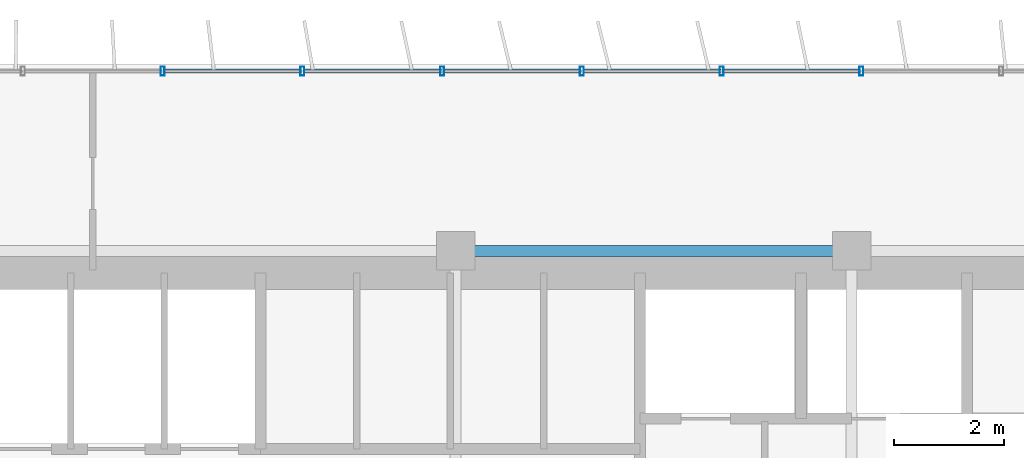
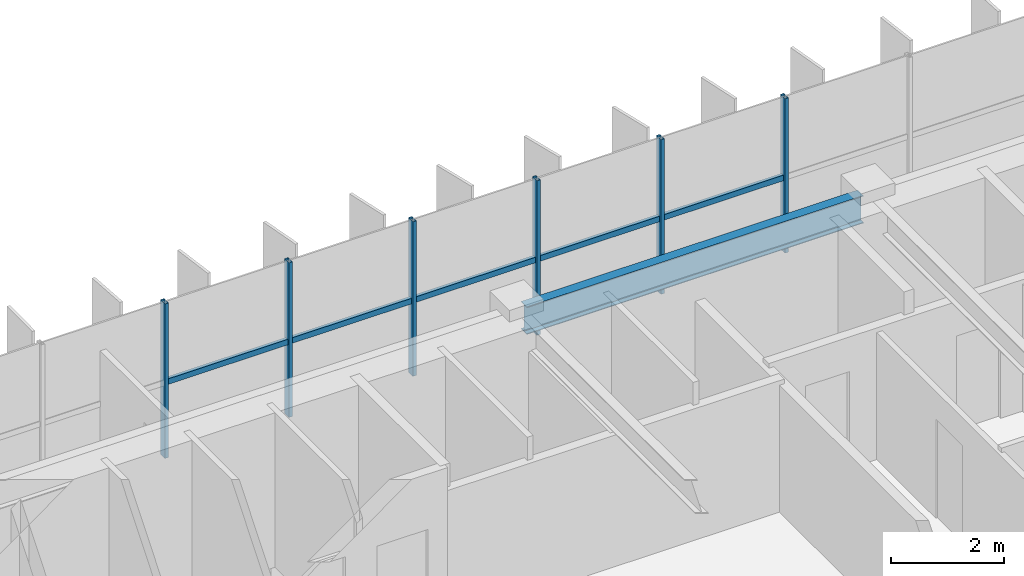
# One storey, part 9 of 22: 11 members, 1 beam, 1 element without a shape of its own.
"""IFC4 building model written with IfcOpenShell, lengths in metres."""

from ifc_helpers import new_model, si_unit, direction, frame, origin, origin_2d, place, context, subcontext, project, spatial, hollow_rectangle, i_section, extrude, source, transform, mapped, material, material_profile, profile_set, type_object, element, aggregate, save


model = new_model("IFC4")

# Units and contexts
model_context = context("Model", 3, precision=1e-05, world=origin(), true_north=direction((0.0, 1.0)))
body_context = subcontext(model_context, "Body", "Model", "MODEL_VIEW")
ifc_project = project(units=[si_unit("LENGTHUNIT", "METRE"), si_unit("AREAUNIT", "SQUARE_METRE"), si_unit("VOLUMEUNIT", "CUBIC_METRE"), si_unit("PLANEANGLEUNIT", "RADIAN"), si_unit("MASSUNIT", "GRAM", prefix="KILO")], contexts=[model_context])

# Site, building, storey
site_placement = place(None, origin())
site = spatial("IfcSite", under=ifc_project, at=site_placement, CompositionType="ELEMENT")
building_placement = place(site_placement, origin())
building = spatial("IfcBuilding", under=site, at=building_placement, Name="Trelvane Seafront Commons", CompositionType="ELEMENT")
storey_placement = place(building_placement, frame((0.0, 0.0, 132.10009765625)))
storey = spatial("IfcBuildingStorey", under=building, at=storey_placement, Name="L34", CompositionType="ELEMENT", Elevation=132.10009765625)

# Beam
ifc_material_1 = material(Name="Steel SM355 (S355)", Category="steel")
ifc_material_profile_1 = material_profile(ifc_material_1, i_section(OverallWidth=0.199951171875, OverallDepth=0.60009765625, WebThickness=0.010986328125, FlangeThickness=0.01708984375, at=origin_2d()), Name="H-600x200x11x17")
ifc_profile_set_1 = profile_set([ifc_material_profile_1], Name="Steel SM355 (S355)")
beam_type = type_object("IfcBeamType", Name="STR-SPD-H600", PredefinedType="SPANDREL", material=ifc_profile_set_1)
shared_shape_1 = source(origin(), body_context, "Body", "SweptSolid", [
    extrude(i_section(OverallWidth=0.199951171875, OverallDepth=0.60009765625, WebThickness=0.010986328125, FlangeThickness=0.01708984375, at=origin_2d()), origin(), (0.0, 0.0, 1.0), 6.900146484375),
])
beam_placement = place(storey_placement, frame((43.949951171875, 45.10009765625, 3.0498046875), z_axis=(1.0, 0.0, 0.0), x_axis=(0.0, 1.0, 0.0)))
element("IfcBeam", 1, at=beam_placement, inside=storey, type_object=beam_type, Name="L34 Primary Girder G-26", PredefinedType="SPANDREL", context=body_context, shape_type="MappedRepresentation", body=[
    mapped(shared_shape_1, transform((0.0, 0.0, 0.0), x_axis=(1.0, 0.0, 0.0), y_axis=(0.0, 1.0, 0.0), z_axis=(0.0, 0.0, 1.0), scale=1.0)),
])

# Curtain wall, members
ifc_material_2 = material(Name="Anodised pale-silver aluminium", Category="aluminium")
curtain_wall_type = type_object("IfcCurtainWallType", Name="ARCH-CW5-UPTOWER", PredefinedType="NOTDEFINED", material=ifc_material_2)
curtain_wall_placement = place(storey_placement, origin())
curtain_wall = element("IfcCurtainWall", 2, at=curtain_wall_placement, inside=storey, type_object=curtain_wall_type, Name="CW-L34-0061", PredefinedType="NOTDEFINED")
ifc_material_profile_2 = material_profile(ifc_material_2, hollow_rectangle(XDim=0.070068359375, YDim=0.1201171875, WallThickness=0.00390625, at=origin_2d()), Name="TRAN-70x120x4")
ifc_profile_set_2 = profile_set([ifc_material_profile_2], Name="Anodised pale-silver aluminium")
member_type_1 = type_object("IfcMemberType", Name="ARCH-CW-TRAN-120", PredefinedType="USERDEFINED", material=ifc_profile_set_2)
shared_shape_2 = source(origin(), body_context, "Body", "SweptSolid", [
    extrude(hollow_rectangle(XDim=0.070068359375, YDim=0.1201171875, WallThickness=0.00390625, at=origin_2d()), origin(), (0.0, 0.0, 1.0), 2.51708984375),
])
member_1_placement = place(storey_placement, frame((38.482666015625, 48.3701171875, 1.60791015625), z_axis=(1.0, 0.0, 0.0), x_axis=(0.0, 1.0, 0.0)))
member_1 = element("IfcMember", 3, at=member_1_placement, type_object=member_type_1, Name="CW-L34-0061-T09", ObjectType="TRANSOM", PredefinedType="USERDEFINED", context=body_context, shape_type="MappedRepresentation", body=[
    mapped(shared_shape_2, transform((0.0, 0.0, 0.0), x_axis=(1.0, 0.0, 0.0), y_axis=(0.0, 1.0, 0.0), z_axis=(0.0, 0.0, 1.0), scale=1.0)),
])
member_2_placement = place(storey_placement, frame((43.56494140625, 48.3701171875, 1.60791015625), z_axis=(1.0, 0.0, 0.0), x_axis=(0.0, 1.0, 0.0)))
member_2 = element("IfcMember", 4, at=member_2_placement, type_object=member_type_1, Name="CW-L34-0061-T11", ObjectType="TRANSOM", PredefinedType="USERDEFINED", context=body_context, shape_type="MappedRepresentation", body=[
    mapped(shared_shape_2, transform((0.0, 0.0, 0.0), x_axis=(1.0, 0.0, 0.0), y_axis=(0.0, 1.0, 0.0), z_axis=(0.0, 0.0, 1.0), scale=1.0)),
])
member_3_placement = place(storey_placement, frame((46.106201171875, 48.3701171875, 1.60791015625), z_axis=(1.0, 0.0, 0.0), x_axis=(0.0, 1.0, 0.0)))
member_3 = element("IfcMember", 5, at=member_3_placement, type_object=member_type_1, Name="CW-L34-0061-T12", ObjectType="TRANSOM", PredefinedType="USERDEFINED", context=body_context, shape_type="MappedRepresentation", body=[
    mapped(shared_shape_2, transform((0.0, 0.0, 0.0), x_axis=(1.0, 0.0, 0.0), y_axis=(0.0, 1.0, 0.0), z_axis=(0.0, 0.0, 1.0), scale=1.0)),
])
shared_shape_3 = source(origin(), body_context, "Body", "SweptSolid", [
    extrude(hollow_rectangle(XDim=0.070068359375, YDim=0.1201171875, WallThickness=0.00390625, at=origin_2d()), origin(), (0.0, 0.0, 1.0), 2.517333984375),
])
member_4_placement = place(storey_placement, frame((41.023681640625, 48.3701171875, 1.60791015625), z_axis=(1.0, 0.0, 0.0), x_axis=(0.0, 1.0, 0.0)))
member_4 = element("IfcMember", 6, at=member_4_placement, type_object=member_type_1, Name="CW-L34-0061-T10", ObjectType="TRANSOM", PredefinedType="USERDEFINED", context=body_context, shape_type="MappedRepresentation", body=[
    mapped(shared_shape_3, transform((0.0, 0.0, 0.0), x_axis=(1.0, 0.0, 0.0), y_axis=(0.0, 1.0, 0.0), z_axis=(0.0, 0.0, 1.0), scale=1.0)),
])
member_5_placement = place(storey_placement, frame((48.647216796875, 48.3701171875, 1.60791015625), z_axis=(1.0, 0.0, 0.0), x_axis=(0.0, 1.0, 0.0)))
member_5 = element("IfcMember", 7, at=member_5_placement, type_object=member_type_1, Name="CW-L34-0061-T13", ObjectType="TRANSOM", PredefinedType="USERDEFINED", context=body_context, shape_type="MappedRepresentation", body=[
    mapped(shared_shape_3, transform((0.0, 0.0, 0.0), x_axis=(1.0, 0.0, 0.0), y_axis=(0.0, 1.0, 0.0), z_axis=(0.0, 0.0, 1.0), scale=1.0)),
])
ifc_material_profile_3 = material_profile(ifc_material_2, hollow_rectangle(XDim=0.074951171875, YDim=0.159912109375, WallThickness=0.00390625, at=origin_2d()), Name="MULL-75x160x4")
ifc_profile_set_3 = profile_set([ifc_material_profile_3], Name="Anodised pale-silver aluminium")
member_type_2 = type_object("IfcMemberType", Name="ARCH-CW-MULL-160", PredefinedType="MULLION", material=ifc_profile_set_3)
shared_shape_4 = source(origin(), body_context, "Body", "SweptSolid", [
    extrude(hollow_rectangle(XDim=0.074951171875, YDim=0.159912109375, WallThickness=0.00390625, at=origin_2d()), origin(), (0.0, 0.0, 1.0), 3.349853515625),
])
member_6_placement = place(storey_placement, frame((38.470703125, 48.3701171875, 0.0), z_axis=(0.0, 0.0, 1.0), x_axis=(1.0, 0.0, 0.0)))
member_6 = element("IfcMember", 8, at=member_6_placement, type_object=member_type_2, Name="CW-L34-0061-M09", PredefinedType="MULLION", context=body_context, shape_type="MappedRepresentation", body=[
    mapped(shared_shape_4, transform((0.0, 0.0, 0.0), x_axis=(1.0, 0.0, 0.0), y_axis=(0.0, 1.0, 0.0), z_axis=(0.0, 0.0, 1.0), scale=1.0)),
])
member_7_placement = place(storey_placement, frame((41.01171875, 48.3701171875, 0.0), z_axis=(0.0, 0.0, 1.0), x_axis=(1.0, 0.0, 0.0)))
member_7 = element("IfcMember", 9, at=member_7_placement, type_object=member_type_2, Name="CW-L34-0061-M10", PredefinedType="MULLION", context=body_context, shape_type="MappedRepresentation", body=[
    mapped(shared_shape_4, transform((0.0, 0.0, 0.0), x_axis=(1.0, 0.0, 0.0), y_axis=(0.0, 1.0, 0.0), z_axis=(0.0, 0.0, 1.0), scale=1.0)),
])
member_8_placement = place(storey_placement, frame((43.552978515625, 48.3701171875, 0.0), z_axis=(0.0, 0.0, 1.0), x_axis=(1.0, 0.0, 0.0)))
member_8 = element("IfcMember", 10, at=member_8_placement, type_object=member_type_2, Name="CW-L34-0061-M11", PredefinedType="MULLION", context=body_context, shape_type="MappedRepresentation", body=[
    mapped(shared_shape_4, transform((0.0, 0.0, 0.0), x_axis=(1.0, 0.0, 0.0), y_axis=(0.0, 1.0, 0.0), z_axis=(0.0, 0.0, 1.0), scale=1.0)),
])
member_9_placement = place(storey_placement, frame((46.093994140625, 48.3701171875, 0.0), z_axis=(0.0, 0.0, 1.0), x_axis=(1.0, 0.0, 0.0)))
member_9 = element("IfcMember", 11, at=member_9_placement, type_object=member_type_2, Name="CW-L34-0061-M12", PredefinedType="MULLION", context=body_context, shape_type="MappedRepresentation", body=[
    mapped(shared_shape_4, transform((0.0, 0.0, 0.0), x_axis=(1.0, 0.0, 0.0), y_axis=(0.0, 1.0, 0.0), z_axis=(0.0, 0.0, 1.0), scale=1.0)),
])
member_10_placement = place(storey_placement, frame((48.63525390625, 48.3701171875, 0.0), z_axis=(0.0, 0.0, 1.0), x_axis=(1.0, 0.0, 0.0)))
member_10 = element("IfcMember", 12, at=member_10_placement, type_object=member_type_2, Name="CW-L34-0061-M13", PredefinedType="MULLION", context=body_context, shape_type="MappedRepresentation", body=[
    mapped(shared_shape_4, transform((0.0, 0.0, 0.0), x_axis=(1.0, 0.0, 0.0), y_axis=(0.0, 1.0, 0.0), z_axis=(0.0, 0.0, 1.0), scale=1.0)),
])
member_11_placement = place(storey_placement, frame((51.176513671875, 48.3701171875, 0.0), z_axis=(0.0, 0.0, 1.0), x_axis=(1.0, 0.0, 0.0)))
member_11 = element("IfcMember", 13, at=member_11_placement, type_object=member_type_2, Name="CW-L34-0061-M14", PredefinedType="MULLION", context=body_context, shape_type="MappedRepresentation", body=[
    mapped(shared_shape_4, transform((0.0, 0.0, 0.0), x_axis=(1.0, 0.0, 0.0), y_axis=(0.0, 1.0, 0.0), z_axis=(0.0, 0.0, 1.0), scale=1.0)),
])
aggregate(curtain_wall, [member_6, member_7, member_8, member_9, member_10, member_11, member_1, member_4, member_2, member_3, member_5])

save(model, "model.ifc")
